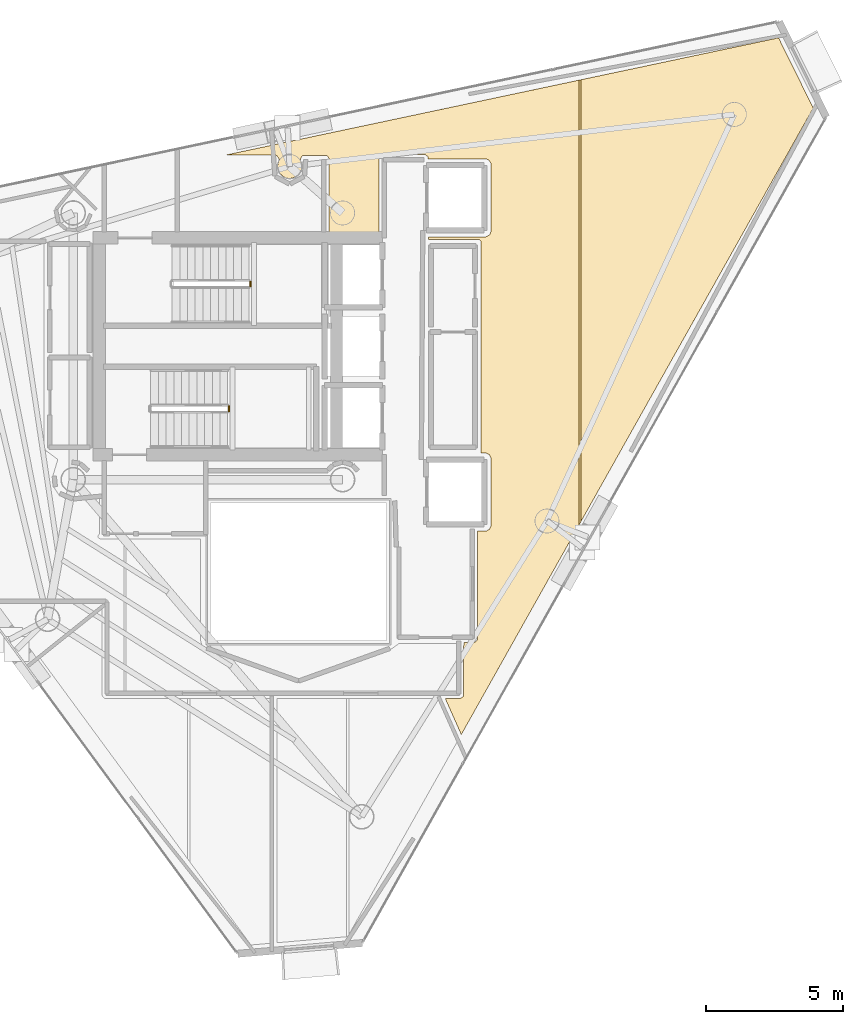
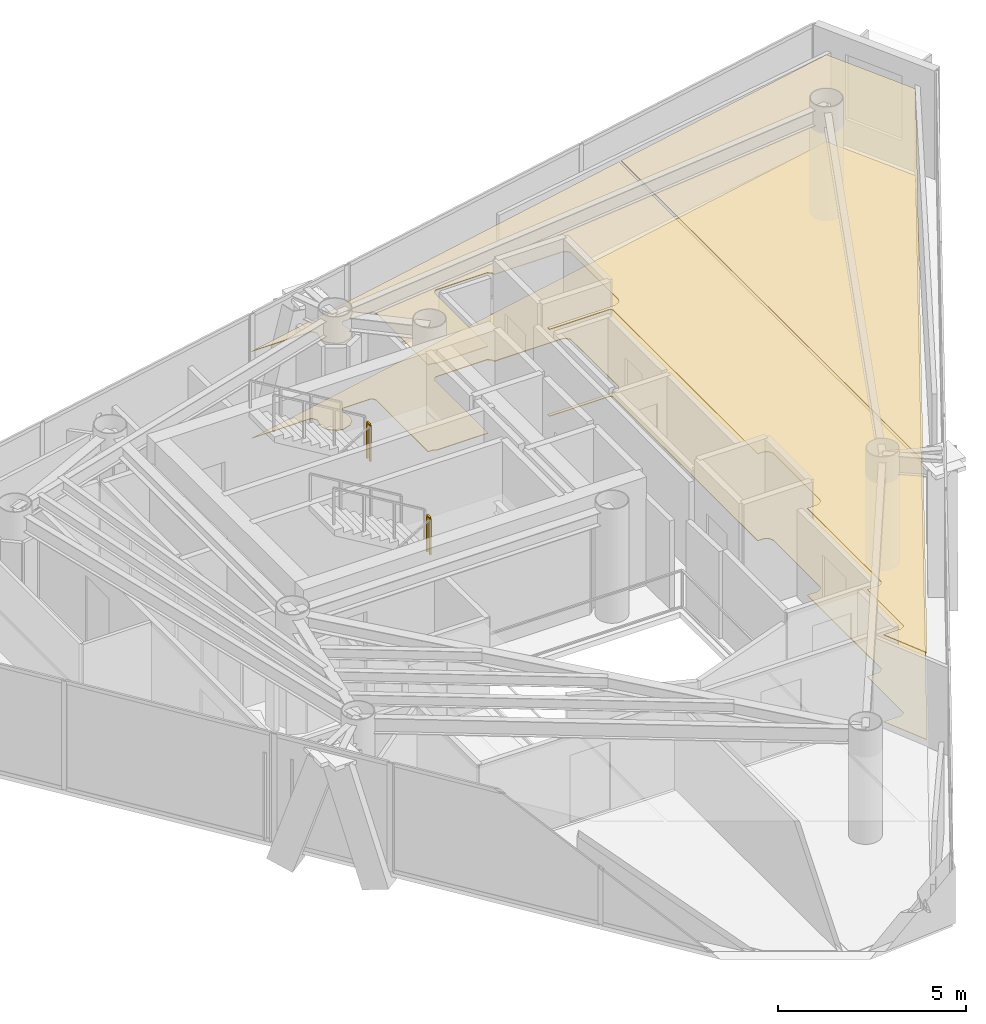
# One storey, part 21 of 21: 3 coverings, 2 railings.
"""IFC4 building model written with IfcOpenShell, lengths in metres."""

import ifcopenshell
import ifcopenshell.guid

model = None  # the IFC model being written
_history = None  # IfcOwnerHistory: only IFC2X3 demands one
_inside = {}  # id of a spatial element -> (the spatial element, [elements in it])
_under = {}  # id of a project, library or spatial element -> (it, [spatial elements below it])
_declared = {}  # id of a project -> (the project, [libraries it declares])
_typed = {}  # id of a type object -> (the type object, [elements of that type])
_made_of = {}  # id of a material, layer set ... -> (it, [elements and type objects made of it])


def new_model(schema):
    """Start an empty IFC model of exactly this schema.

    Asked for "IFC4X3", IfcOpenShell would pick the latest addendum, in which some entities
    have other attributes; the version numbers below select the first issue.
    IFC2X3 requires an IfcOwnerHistory on every rooted entity: one is made here for all.
    """
    global model, _history
    if schema == "IFC4X3":
        model = ifcopenshell.file(schema_version=(4, 3, 0, 0))
    else:
        model = ifcopenshell.file(schema=schema)
    _inside.clear()
    _under.clear()
    _declared.clear()
    _typed.clear()
    _made_of.clear()
    _history = None
    if model.schema == "IFC2X3":
        org = make("IfcOrganization", Name="unknown")
        user = make(
            "IfcPersonAndOrganization",
            ThePerson=make("IfcPerson", FamilyName="unknown"),
            TheOrganization=org,
        )
        app = make(
            "IfcApplication",
            ApplicationDeveloper=org,
            Version="unknown",
            ApplicationFullName="unknown",
            ApplicationIdentifier="unknown",
        )
        _history = make(
            "IfcOwnerHistory",
            OwningUser=user,
            OwningApplication=app,
            ChangeAction="ADDED",
            CreationDate=0,
        )
    return model


def make(cls, **values):
    """One entity of the class cls with the attributes given. An attribute that is None is left unset."""
    return model.create_entity(
        cls, **{name: value for name, value in values.items() if value is not None}
    )


def rooted(cls, **values):
    """An entity with a GlobalId (a new one), such as an element, a storey or a relation."""
    return make(cls, GlobalId=ifcopenshell.guid.new(), OwnerHistory=_history, **values)


def si_unit(unit_type, name, prefix=None):
    """IfcSIUnit, for example si_unit("LENGTHUNIT", "METRE", prefix="MILLI")."""
    return make("IfcSIUnit", UnitType=unit_type, Prefix=prefix, Name=name)


def assignment(units):
    """IfcUnitAssignment: the units of a project."""
    return None if units is None else make("IfcUnitAssignment", Units=units)


def point(xyz):
    """IfcCartesianPoint."""
    return None if xyz is None else make("IfcCartesianPoint", Coordinates=xyz)


def direction(xyz):
    """IfcDirection."""
    return None if xyz is None else make("IfcDirection", DirectionRatios=xyz)


def frame(location, z_axis=None, x_axis=None):
    """IfcAxis2Placement3D, a coordinate frame: its origin and axes. An axis left out is left unset."""
    return make(
        "IfcAxis2Placement3D",
        Location=point(location),
        Axis=direction(z_axis),
        RefDirection=direction(x_axis),
    )


def frame_2d(location, x_axis=None):
    """IfcAxis2Placement2D, a coordinate frame in the plane: its origin and x axis."""
    return make(
        "IfcAxis2Placement2D", Location=point(location), RefDirection=direction(x_axis)
    )


def origin():
    """The frame at (0, 0, 0) with its axes left unset."""
    return frame((0.0, 0.0, 0.0))


def origin_2d():
    """The frame at (0, 0) in the plane with its x axis left unset."""
    return frame_2d((0.0, 0.0))


def place(relative_to, where):
    """IfcLocalPlacement: puts the frame where relative to a parent placement (None: the world)."""
    return make(
        "IfcLocalPlacement", PlacementRelTo=relative_to, RelativePlacement=where
    )


def context(
    kind, dimensions, precision=None, world=None, true_north=None, identifier=None
):
    """IfcGeometricRepresentationContext, for example the 3D "Model" context."""
    return make(
        "IfcGeometricRepresentationContext",
        ContextIdentifier=identifier,
        ContextType=kind,
        CoordinateSpaceDimension=dimensions,
        Precision=precision,
        WorldCoordinateSystem=world,
        TrueNorth=true_north,
    )


def subcontext(parent, identifier, kind, view, scale=None):
    """IfcGeometricRepresentationSubContext, for example "Body" below "Model"."""
    return make(
        "IfcGeometricRepresentationSubContext",
        ContextIdentifier=identifier,
        ContextType=kind,
        ParentContext=parent,
        TargetScale=scale,
        TargetView=view,
    )


def project(units=None, contexts=None):
    """IfcProject with its units and contexts."""
    return rooted(
        "IfcProject",
        Name="project",
        RepresentationContexts=contexts,
        UnitsInContext=assignment(units),
    )


def spatial(cls, under=None, at=None, **own):
    """A site, building, storey or space (cls), placed at a placement, below another one or the project."""
    s = rooted(cls, ObjectPlacement=at, **own)
    if under is not None:
        _under.setdefault(under.id(), (under, []))[1].append(s)
    return s


def polyline(points):
    """IfcPolyline through the points."""
    return make("IfcPolyline", Points=[point(p) for p in points])


def profile(cls, at=None, kind="AREA", **sizes):
    """A parametric profile (cls). Its sizes go by their IFC names, for example OverallWidth=200.0."""
    return make(cls, ProfileType=kind, Position=at, **sizes)


def rectangle(**sizes):
    """IfcRectangleProfileDef."""
    return profile("IfcRectangleProfileDef", **sizes)


def outline(outer, holes=None, kind="AREA"):
    """IfcArbitraryClosedProfileDef: a profile drawn as a closed curve; with holes, ...WithVoids."""
    if holes is None:
        return make("IfcArbitraryClosedProfileDef", ProfileType=kind, OuterCurve=outer)
    return make(
        "IfcArbitraryProfileDefWithVoids",
        ProfileType=kind,
        OuterCurve=outer,
        InnerCurves=holes,
    )


def extrude(swept, where, along, depth):
    """IfcExtrudedAreaSolid: the profile swept, set in the frame where, extruded along a direction by depth."""
    return make(
        "IfcExtrudedAreaSolid",
        SweptArea=swept,
        Position=where,
        ExtrudedDirection=direction(along),
        Depth=depth,
    )


def shape(context_of_items, identifier, shape_type, items):
    """IfcShapeRepresentation: the items that make up one representation, for example the "Body"."""
    return make(
        "IfcShapeRepresentation",
        ContextOfItems=context_of_items,
        RepresentationIdentifier=identifier,
        RepresentationType=shape_type,
        Items=items,
    )


def material(Name=None, Category=None):
    """IfcMaterial."""
    return make("IfcMaterial", Name=Name, Category=Category)


def layer(
    of_material, thickness, ventilated=None, Name=None, Category=None, Priority=None
):
    """IfcMaterialLayer: one layer of a wall or slab, of a material (None: an air gap)."""
    return make(
        "IfcMaterialLayer",
        Material=of_material,
        LayerThickness=thickness,
        IsVentilated=ventilated,
        Name=Name,
        Category=Category,
        Priority=Priority,
    )


def layer_set(layers, Name=None):
    """IfcMaterialLayerSet."""
    return make("IfcMaterialLayerSet", MaterialLayers=layers, LayerSetName=Name)


def made_of(thing, what):
    """Note that an element or type object is made of a material, layer set ...; save() writes the relation."""
    if what is not None:
        _made_of.setdefault(what.id(), (what, []))[1].append(thing)
    return thing


def type_object(cls, material=None, **own):
    """A type object (cls), such as IfcWallType, which elements share."""
    return made_of(rooted(cls, **own), material)


def element(
    cls,
    number,
    at=None,
    inside=None,
    cuts=None,
    type_object=None,
    material=None,
    context=None,
    identifier="Body",
    shape_type=None,
    held_by="IfcProductDefinitionShape",
    body=None,
    shapes=None,
    **own,
):
    """One element of the class cls, such as IfcWall. Its Tag is "e" and its number.

    at: its placement. inside: the storey or other place that contains it. cuts: it is an
    opening in that element (IfcRelVoidsElement). A single representation is given by context,
    identifier, shape_type and body (its items); several are given by shapes. held_by: the class
    of the entity that holds the representations. save() writes the other relations.
    """
    e = rooted(cls, Tag="e%d" % number, ObjectPlacement=at, **own)
    if body is not None:
        shapes = [shape(context, identifier, shape_type, body)]
    if shapes is not None:
        e.Representation = make(held_by, Representations=shapes)
    if inside is not None:
        _inside.setdefault(inside.id(), (inside, []))[1].append(e)
    if cuts is not None:
        rooted(
            "IfcRelVoidsElement", RelatingBuildingElement=cuts, RelatedOpeningElement=e
        )
    if type_object is not None:
        _typed.setdefault(type_object.id(), (type_object, []))[1].append(e)
    return made_of(e, material)


def aggregate(whole, parts):
    """IfcRelAggregates: a whole, such as a stair, and the parts it consists of."""
    return rooted("IfcRelAggregates", RelatingObject=whole, RelatedObjects=parts)


def save(model, path):
    """Write the relations noted so far, then the file.

    IfcRelAggregates (storeys below a building ...), IfcRelContainedInSpatialStructure (elements
    in a storey), IfcRelDefinesByType, IfcRelAssociatesMaterial and IfcRelDeclares: one each for
    every whole, place, type object, material and project.
    """
    for whole, parts in _under.values():
        aggregate(whole, parts)
    for where, things in _inside.values():
        rooted(
            "IfcRelContainedInSpatialStructure",
            RelatedElements=things,
            RelatingStructure=where,
        )
    for kind, things in _typed.values():
        rooted("IfcRelDefinesByType", RelatedObjects=things, RelatingType=kind)
    for what, things in _made_of.values():
        rooted("IfcRelAssociatesMaterial", RelatedObjects=things, RelatingMaterial=what)
    for by, libraries in _declared.values():
        rooted("IfcRelDeclares", RelatingContext=by, RelatedDefinitions=libraries)
    model.write(path)


model = new_model("IFC4")

# Units and contexts
model_context = context("Model", 3, precision=1e-05, world=origin(), true_north=direction((0.0, 1.0)))
body_context = subcontext(model_context, "Body", "Model", "MODEL_VIEW")
ifc_project = project(units=[si_unit("LENGTHUNIT", "METRE"), si_unit("AREAUNIT", "SQUARE_METRE"), si_unit("VOLUMEUNIT", "CUBIC_METRE"), si_unit("PLANEANGLEUNIT", "RADIAN"), si_unit("MASSUNIT", "GRAM", prefix="KILO")], contexts=[model_context])

# Site, building, storey
site_placement = place(None, origin())
site = spatial("IfcSite", under=ifc_project, at=site_placement, CompositionType="ELEMENT")
building_placement = place(site_placement, origin())
building = spatial("IfcBuilding", under=site, at=building_placement, Name="Qianvela Tower", CompositionType="ELEMENT")
storey_placement = place(building_placement, frame((0.0, 0.0, 302.800048828125)))
storey = spatial("IfcBuildingStorey", under=building, at=storey_placement, Name="L78", CompositionType="ELEMENT", Elevation=302.800048828125)

# Coverings
ifc_material_1 = material(Name="Perforated Mineral Acoustic Ceiling Tile")
ifc_layer_1 = layer(ifc_material_1, 0.02490234375)
ifc_layer_set_1 = layer_set([ifc_layer_1], Name="Perforated Mineral Acoustic Ceiling Tile")
covering_type_1 = type_object("IfcCoveringType", Name="COV-CEIL-ACOUSTIC-25", PredefinedType="CEILING", material=ifc_layer_set_1)
covering_1_placement = place(storey_placement, frame((0.0, 0.0, 2.81494140625)))
element("IfcCovering", 1, at=covering_1_placement, inside=storey, type_object=covering_type_1, Name="L78 Acoustic Ceiling Bay 1 Quiet Reading Study L78-04", PredefinedType="CEILING", context=body_context, shape_type="SweptSolid", body=[
    extrude(outline(polyline([(42.134765625, 15.89013671875), (42.657958984375, 15.890380859375), (42.665771484375, 15.890869140625), (42.673583984375, 15.891845703125), (42.68115234375, 15.893798828125), (42.6884765625, 15.896484375), (42.695556640625, 15.89990234375), (42.702392578125, 15.90380859375), (42.764892578125, 15.94580078125), (42.771240234375, 15.950439453125), (42.777099609375, 15.955810546875), (42.7822265625, 15.96142578125), (42.787109375, 15.9677734375), (42.791015625, 15.974609375), (42.79443359375, 15.9814453125), (42.797119140625, 15.989013671875), (42.799072265625, 15.99658203125), (42.800048828125, 16.004150390625), (42.800537109375, 16.011962890625), (42.80712890625, 17.920166015625), (43.157958984375, 17.92041015625), (43.166259765625, 17.9208984375), (43.174560546875, 17.922119140625), (43.1826171875, 17.92431640625), (43.1904296875, 17.927490234375), (43.197998046875, 17.93115234375), (43.205078125, 17.935791015625), (43.211669921875, 17.941162109375), (43.2822265625, 18.005126953125), (43.2880859375, 18.010986328125), (43.293212890625, 18.017578125), (43.2978515625, 18.0244140625), (43.301513671875, 18.031982421875), (43.3046875, 18.039794921875), (43.306640625, 18.0478515625), (43.30810546875, 18.055908203125), (43.30859375, 18.064453125), (43.309326171875, 21.980712890625), (43.60791015625, 21.982666015625), (43.615478515625, 21.983154296875), (43.623291015625, 21.984375), (43.630859375, 21.986083984375), (43.637939453125, 21.98876953125), (43.64501953125, 21.9921875), (43.716796875, 22.030517578125), (43.723388671875, 22.034423828125), (43.729736328125, 22.039306640625), (43.735595703125, 22.04443359375), (43.74072265625, 22.05029296875), (43.74560546875, 22.056640625), (43.74951171875, 22.063232421875), (43.787841796875, 22.135009765625), (43.791259765625, 22.14208984375), (43.7939453125, 22.1494140625), (43.7958984375, 22.156982421875), (43.796875, 22.164794921875), (43.79736328125, 22.172607421875), (43.79931640625, 24.61376953125), (43.799072265625, 24.62060546875), (43.798095703125, 24.627685546875), (43.79638671875, 24.634765625), (43.79443359375, 24.641357421875), (43.79150390625, 24.64794921875), (43.751220703125, 24.733154296875), (43.74755859375, 24.739990234375), (43.743408203125, 24.74658203125), (43.73828125, 24.752685546875), (43.732666015625, 24.75830078125), (43.726806640625, 24.76318359375), (43.72021484375, 24.767578125), (43.713134765625, 24.771240234375), (43.6279296875, 24.8115234375), (43.619873046875, 24.81494140625), (43.611328125, 24.8173828125), (43.6025390625, 24.81884765625), (43.59375, 24.8193359375), (43.423828125, 24.8193359375), (43.423828125, 24.8193359375), (43.426513671875, 24.826904296875), (43.428466796875, 24.83447265625), (43.4296875, 24.84228515625), (43.429931640625, 24.85009765625), (43.429931640625, 32.5), (43.4296875, 32.5078125), (43.428466796875, 32.515625), (43.426513671875, 32.523193359375), (43.423828125, 32.530517578125), (43.420654296875, 32.53759765625), (43.41650390625, 32.54443359375), (43.411865234375, 32.55078125), (43.406494140625, 32.556640625), (43.40087890625, 32.561767578125), (43.394287109375, 32.56640625), (43.3876953125, 32.570556640625), (43.380615234375, 32.573974609375), (43.373291015625, 32.57666015625), (43.365478515625, 32.57861328125), (43.35791015625, 32.57958984375), (43.35009765625, 32.580078125), (41.52001953125, 32.580078125), (41.52001953125, 32.679931640625), (43.580078125, 32.679931640625), (43.587158203125, 32.680419921875), (43.593994140625, 32.68115234375), (43.60107421875, 32.682861328125), (43.607666015625, 32.684814453125), (43.6142578125, 32.687744140625), (43.722412109375, 32.739013671875), (43.729248046875, 32.74267578125), (43.73583984375, 32.746826171875), (43.741943359375, 32.751953125), (43.74755859375, 32.757568359375), (43.75244140625, 32.763427734375), (43.7568359375, 32.77001953125), (43.760498046875, 32.777099609375), (43.763427734375, 32.7841796875), (43.79541015625, 32.873046875), (43.79736328125, 32.879638671875), (43.798828125, 32.886474609375), (43.7998046875, 32.893310546875), (43.800048828125, 32.900390625), (43.789306640625, 35.35400390625), (43.788818359375, 35.36181640625), (43.787841796875, 35.369384765625), (43.785888671875, 35.376953125), (43.783203125, 35.38427734375), (43.77978515625, 35.391357421875), (43.77587890625, 35.398193359375), (43.771240234375, 35.404296875), (43.719482421875, 35.46728515625), (43.71435546875, 35.472900390625), (43.70849609375, 35.478271484375), (43.7021484375, 35.48291015625), (43.695556640625, 35.487060546875), (43.6884765625, 35.490234375), (43.680908203125, 35.492919921875), (43.603271484375, 35.5166015625), (43.595703125, 35.5185546875), (43.587890625, 35.51953125), (43.580078125, 35.52001953125), (41.515625, 35.52001953125), (41.513916015625, 35.554931640625), (41.512939453125, 35.562744140625), (41.511474609375, 35.5703125), (41.509033203125, 35.577880859375), (41.506103515625, 35.585205078125), (41.50244140625, 35.591796875), (41.498046875, 35.598388671875), (41.4931640625, 35.6044921875), (41.487548828125, 35.60986328125), (41.481689453125, 35.614990234375), (41.41552734375, 35.663818359375), (41.409423828125, 35.66796875), (41.40283203125, 35.67138671875), (41.396240234375, 35.67431640625), (41.38916015625, 35.6767578125), (41.382080078125, 35.67822265625), (41.374755859375, 35.67919921875), (41.367431640625, 35.6796875), (39.841796875, 35.670654296875), (39.83349609375, 35.670166015625), (39.825439453125, 35.668701171875), (39.817626953125, 35.666748046875), (39.81005859375, 35.663818359375), (39.802490234375, 35.659912109375), (39.795654296875, 35.655517578125), (39.789306640625, 35.650390625), (39.783447265625, 35.644775390625), (39.7783203125, 35.638427734375), (39.773681640625, 35.631591796875), (39.7314453125, 35.56103515625), (39.727294921875, 35.553466796875), (39.72412109375, 35.54541015625), (39.721923828125, 35.537109375), (39.720458984375, 35.528564453125), (39.719970703125, 35.52001953125), (39.719970703125, 32.719970703125), (38.129150390625, 32.719970703125), (38.068115234375, 32.756103515625), (38.060791015625, 32.760009765625), (38.052978515625, 32.76318359375), (38.044921875, 32.765380859375), (38.03662109375, 32.766845703125), (38.0283203125, 32.767333984375), (37.907470703125, 32.768798828125), (37.909912109375, 35.5), (37.90966796875, 35.5078125), (37.908447265625, 35.515625), (37.906494140625, 35.523193359375), (37.90380859375, 35.530517578125), (37.900634765625, 35.53759765625), (37.864990234375, 35.604248046875), (37.861083984375, 35.611083984375), (37.856201171875, 35.6171875), (37.85107421875, 35.623046875), (37.84521484375, 35.62841796875), (37.8388671875, 35.633056640625), (37.83203125, 35.63720703125), (37.824951171875, 35.640380859375), (37.817626953125, 35.64306640625), (37.81005859375, 35.64501953125), (37.80224609375, 35.64599609375), (37.79443359375, 35.646484375), (36.981689453125, 35.64599609375), (36.973876953125, 35.645751953125), (36.966064453125, 35.64453125), (36.958251953125, 35.642578125), (36.95068359375, 35.639892578125), (36.943603515625, 35.63623046875), (36.936767578125, 35.632080078125), (36.930419921875, 35.627197265625), (36.924560546875, 35.621826171875), (36.919189453125, 35.615966796875), (36.91455078125, 35.609375), (36.91064453125, 35.6025390625), (36.875732421875, 35.5341796875), (36.87255859375, 35.527099609375), (36.8701171875, 35.51953125), (36.8681640625, 35.511962890625), (36.8671875, 35.504150390625), (36.866943359375, 35.49609375), (36.86767578125, 35.48828125), (36.868896484375, 35.48046875), (36.92431640625, 35.23291015625), (36.91748046875, 35.163330078125), (36.84765625, 34.99462890625), (36.72705078125, 34.874267578125), (36.4755859375, 34.796142578125), (36.305419921875, 34.830078125), (36.10302734375, 34.998291015625), (36.03466796875, 35.163330078125), (36.02783203125, 35.23291015625), (36.0830078125, 35.48046875), (36.08447265625, 35.48779296875), (36.0849609375, 35.495361328125), (36.0849609375, 35.502685546875), (36.083984375, 35.51025390625), (36.08251953125, 35.517578125), (36.080322265625, 35.524658203125), (36.077392578125, 35.53173828125), (36.07421875, 35.538330078125), (36.070068359375, 35.544677734375), (36.013671875, 35.623046875), (36.0087890625, 35.62890625), (36.003662109375, 35.634521484375), (35.997802734375, 35.639404296875), (35.99169921875, 35.643798828125), (35.985107421875, 35.647705078125), (35.978271484375, 35.650634765625), (35.97119140625, 35.6533203125), (35.9638671875, 35.655029296875), (35.956298828125, 35.656005859375), (35.94873046875, 35.656494140625), (34.156005859375, 35.658935546875), (46.99609375, 38.38037109375), (46.99609375, 22.19580078125), (42.718017578125, 14.580322265625), (42.134765625, 15.89013671875)])), origin(), (0.0, 0.0, 1.0), 0.02490234375),
])
covering_2_placement = place(storey_placement, frame((0.0, 0.0, 2.81494140625)))
element("IfcCovering", 2, at=covering_2_placement, inside=storey, type_object=covering_type_1, Name="L78 Acoustic Ceiling Bay 2 Quiet Reading Study L78-04", PredefinedType="CEILING", context=body_context, shape_type="SweptSolid", body=[
    extrude(outline(polyline([(54.258056640625, 39.919677734375), (55.519287109375, 37.3671875), (47.076171875, 22.338134765625), (47.076171875, 38.3974609375), (54.258056640625, 39.919677734375)])), origin(), (0.0, 0.0, 1.0), 0.02490234375),
])
ifc_material_2 = material(Name="Engineered Acoustic Oak Timber Flooring", Category="wood")
ifc_layer_2 = layer(ifc_material_2, 0.02001953125)
ifc_layer_set_2 = layer_set([ifc_layer_2], Name="Engineered Acoustic Oak Timber Flooring")
covering_type_2 = type_object("IfcCoveringType", Name="COV-FLOOR-OAK-20", PredefinedType="FLOORING", material=ifc_layer_set_2)
covering_3_placement = place(storey_placement, origin())
element("IfcCovering", 3, at=covering_3_placement, inside=storey, type_object=covering_type_2, Name="L78 Finish Flooring Quiet Reading Study L78-04", PredefinedType="FLOORING", context=body_context, shape_type="SweptSolid", body=[
    extrude(outline(polyline([(42.718017578125, 14.580322265625), (42.134765625, 15.89013671875), (42.657958984375, 15.890380859375), (42.665771484375, 15.890869140625), (42.673583984375, 15.891845703125), (42.68115234375, 15.893798828125), (42.6884765625, 15.896484375), (42.695556640625, 15.89990234375), (42.702392578125, 15.90380859375), (42.764892578125, 15.94580078125), (42.771240234375, 15.950439453125), (42.777099609375, 15.955810546875), (42.7822265625, 15.96142578125), (42.787109375, 15.9677734375), (42.791015625, 15.974609375), (42.79443359375, 15.9814453125), (42.797119140625, 15.989013671875), (42.799072265625, 15.99658203125), (42.800048828125, 16.004150390625), (42.800537109375, 16.011962890625), (42.80712890625, 17.920166015625), (43.157958984375, 17.92041015625), (43.166259765625, 17.9208984375), (43.174560546875, 17.922119140625), (43.1826171875, 17.92431640625), (43.1904296875, 17.927490234375), (43.197998046875, 17.93115234375), (43.205078125, 17.935791015625), (43.211669921875, 17.941162109375), (43.2822265625, 18.005126953125), (43.2880859375, 18.010986328125), (43.293212890625, 18.017578125), (43.2978515625, 18.0244140625), (43.301513671875, 18.031982421875), (43.3046875, 18.039794921875), (43.306640625, 18.0478515625), (43.30810546875, 18.055908203125), (43.30859375, 18.064453125), (43.309326171875, 21.980712890625), (43.60791015625, 21.982666015625), (43.615478515625, 21.983154296875), (43.623291015625, 21.984375), (43.630859375, 21.986083984375), (43.637939453125, 21.98876953125), (43.64501953125, 21.9921875), (43.716796875, 22.030517578125), (43.723388671875, 22.034423828125), (43.729736328125, 22.039306640625), (43.735595703125, 22.04443359375), (43.74072265625, 22.05029296875), (43.74560546875, 22.056640625), (43.74951171875, 22.063232421875), (43.787841796875, 22.135009765625), (43.791259765625, 22.14208984375), (43.7939453125, 22.1494140625), (43.7958984375, 22.156982421875), (43.796875, 22.164794921875), (43.79736328125, 22.172607421875), (43.79931640625, 24.61376953125), (43.799072265625, 24.62060546875), (43.798095703125, 24.627685546875), (43.79638671875, 24.634765625), (43.79443359375, 24.641357421875), (43.79150390625, 24.64794921875), (43.751220703125, 24.733154296875), (43.74755859375, 24.739990234375), (43.743408203125, 24.74658203125), (43.73828125, 24.752685546875), (43.732666015625, 24.75830078125), (43.726806640625, 24.76318359375), (43.72021484375, 24.767578125), (43.713134765625, 24.771240234375), (43.6279296875, 24.8115234375), (43.619873046875, 24.81494140625), (43.611328125, 24.8173828125), (43.6025390625, 24.81884765625), (43.59375, 24.8193359375), (43.423828125, 24.8193359375), (43.423828125, 24.8193359375), (43.426513671875, 24.826904296875), (43.428466796875, 24.83447265625), (43.4296875, 24.84228515625), (43.429931640625, 24.85009765625), (43.429931640625, 32.5), (43.4296875, 32.5078125), (43.428466796875, 32.515625), (43.426513671875, 32.523193359375), (43.423828125, 32.530517578125), (43.420654296875, 32.53759765625), (43.41650390625, 32.54443359375), (43.411865234375, 32.55078125), (43.406494140625, 32.556640625), (43.40087890625, 32.561767578125), (43.394287109375, 32.56640625), (43.3876953125, 32.570556640625), (43.380615234375, 32.573974609375), (43.373291015625, 32.57666015625), (43.365478515625, 32.57861328125), (43.35791015625, 32.57958984375), (43.35009765625, 32.580078125), (41.52001953125, 32.580078125), (41.52001953125, 32.679931640625), (43.580078125, 32.679931640625), (43.587158203125, 32.680419921875), (43.593994140625, 32.68115234375), (43.60107421875, 32.682861328125), (43.607666015625, 32.684814453125), (43.6142578125, 32.687744140625), (43.722412109375, 32.739013671875), (43.729248046875, 32.74267578125), (43.73583984375, 32.746826171875), (43.741943359375, 32.751953125), (43.74755859375, 32.757568359375), (43.75244140625, 32.763427734375), (43.7568359375, 32.77001953125), (43.760498046875, 32.777099609375), (43.763427734375, 32.7841796875), (43.79541015625, 32.873046875), (43.79736328125, 32.879638671875), (43.798828125, 32.886474609375), (43.7998046875, 32.893310546875), (43.800048828125, 32.900390625), (43.789306640625, 35.35400390625), (43.788818359375, 35.36181640625), (43.787841796875, 35.369384765625), (43.785888671875, 35.376953125), (43.783203125, 35.38427734375), (43.77978515625, 35.391357421875), (43.77587890625, 35.398193359375), (43.771240234375, 35.404296875), (43.719482421875, 35.46728515625), (43.71435546875, 35.472900390625), (43.70849609375, 35.478271484375), (43.7021484375, 35.48291015625), (43.695556640625, 35.487060546875), (43.6884765625, 35.490234375), (43.680908203125, 35.492919921875), (43.603271484375, 35.5166015625), (43.595703125, 35.5185546875), (43.587890625, 35.51953125), (43.580078125, 35.52001953125), (41.515625, 35.52001953125), (41.513916015625, 35.554931640625), (41.512939453125, 35.562744140625), (41.511474609375, 35.5703125), (41.509033203125, 35.577880859375), (41.506103515625, 35.585205078125), (41.50244140625, 35.591796875), (41.498046875, 35.598388671875), (41.4931640625, 35.6044921875), (41.487548828125, 35.60986328125), (41.481689453125, 35.614990234375), (41.41552734375, 35.663818359375), (41.409423828125, 35.66796875), (41.40283203125, 35.67138671875), (41.396240234375, 35.67431640625), (41.38916015625, 35.6767578125), (41.382080078125, 35.67822265625), (41.374755859375, 35.67919921875), (41.367431640625, 35.6796875), (39.841796875, 35.670654296875), (39.83349609375, 35.670166015625), (39.825439453125, 35.668701171875), (39.817626953125, 35.666748046875), (39.81005859375, 35.663818359375), (39.802490234375, 35.659912109375), (39.795654296875, 35.655517578125), (39.789306640625, 35.650390625), (39.783447265625, 35.644775390625), (39.7783203125, 35.638427734375), (39.773681640625, 35.631591796875), (39.7314453125, 35.56103515625), (39.727294921875, 35.553466796875), (39.72412109375, 35.54541015625), (39.721923828125, 35.537109375), (39.720458984375, 35.528564453125), (39.719970703125, 35.52001953125), (39.719970703125, 32.719970703125), (38.129150390625, 32.719970703125), (38.068115234375, 32.756103515625), (38.060791015625, 32.760009765625), (38.052978515625, 32.76318359375), (38.044921875, 32.765380859375), (38.03662109375, 32.766845703125), (38.0283203125, 32.767333984375), (37.907470703125, 32.768798828125), (37.909912109375, 35.5), (37.90966796875, 35.5078125), (37.908447265625, 35.515625), (37.906494140625, 35.523193359375), (37.90380859375, 35.530517578125), (37.900634765625, 35.53759765625), (37.864990234375, 35.604248046875), (37.861083984375, 35.611083984375), (37.856201171875, 35.6171875), (37.85107421875, 35.623046875), (37.84521484375, 35.62841796875), (37.8388671875, 35.633056640625), (37.83203125, 35.63720703125), (37.824951171875, 35.640380859375), (37.817626953125, 35.64306640625), (37.81005859375, 35.64501953125), (37.80224609375, 35.64599609375), (37.79443359375, 35.646484375), (36.981689453125, 35.64599609375), (36.973876953125, 35.645751953125), (36.966064453125, 35.64453125), (36.958251953125, 35.642578125), (36.95068359375, 35.639892578125), (36.943603515625, 35.63623046875), (36.936767578125, 35.632080078125), (36.930419921875, 35.627197265625), (36.924560546875, 35.621826171875), (36.919189453125, 35.615966796875), (36.91455078125, 35.609375), (36.91064453125, 35.6025390625), (36.875732421875, 35.5341796875), (36.87255859375, 35.527099609375), (36.8701171875, 35.51953125), (36.8681640625, 35.511962890625), (36.8671875, 35.504150390625), (36.866943359375, 35.49609375), (36.86767578125, 35.48828125), (36.868896484375, 35.48046875), (36.92431640625, 35.23291015625), (36.91748046875, 35.163330078125), (36.84765625, 34.99462890625), (36.72705078125, 34.874267578125), (36.4755859375, 34.796142578125), (36.305419921875, 34.830078125), (36.10302734375, 34.998291015625), (36.03466796875, 35.163330078125), (36.02783203125, 35.23291015625), (36.0830078125, 35.48046875), (36.08447265625, 35.48779296875), (36.0849609375, 35.495361328125), (36.0849609375, 35.502685546875), (36.083984375, 35.51025390625), (36.08251953125, 35.517578125), (36.080322265625, 35.524658203125), (36.077392578125, 35.53173828125), (36.07421875, 35.538330078125), (36.070068359375, 35.544677734375), (36.013671875, 35.623046875), (36.0087890625, 35.62890625), (36.003662109375, 35.634521484375), (35.997802734375, 35.639404296875), (35.99169921875, 35.643798828125), (35.985107421875, 35.647705078125), (35.978271484375, 35.650634765625), (35.97119140625, 35.6533203125), (35.9638671875, 35.655029296875), (35.956298828125, 35.656005859375), (35.94873046875, 35.656494140625), (34.156005859375, 35.658935546875), (54.258056640625, 39.919677734375), (55.519287109375, 37.3671875), (42.718017578125, 14.580322265625)])), origin(), (0.0, 0.0, 1.0), 0.02001953125),
])

# Railings
ifc_material_3 = material(Name="Painted Tubular Steel Q355B", Category="steel")
railing_type = type_object("IfcRailingType", Name="RL-STAIR-GUARD-1200", PredefinedType="GUARDRAIL", material=ifc_material_3)
railing_1_placement = place(storey_placement, frame((35.050048828125, 30.889892578125, 1.849853515625)))
element("IfcRailing", 4, at=railing_1_placement, inside=storey, type_object=railing_type, Name="L78 ST-1 stair guard 2", PredefinedType="GUARDRAIL", context=body_context, shape_type="SweptSolid", body=[
    extrude(rectangle(XDim=0.050048828125, YDim=0.0400390625, at=origin_2d()), frame((0.0, 0.0, 1.179931640625), z_axis=(0.0, 1.0, 0.0), x_axis=(-1.0, 0.0, 0.0)), (0.0, 0.0, 1.0), 0.16015625),
    extrude(rectangle(XDim=0.050048828125, YDim=0.050048828125, at=origin_2d()), origin(), (0.0, 0.0, 1.0), 1.159912109375),
    extrude(rectangle(XDim=0.050048828125, YDim=0.050048828125, at=origin_2d()), frame((0.0, 0.16015625, 0.0)), (0.0, 0.0, 1.0), 1.159912109375),
])
railing_2_placement = place(storey_placement, frame((34.27001953125, 26.35009765625, 1.849853515625)))
element("IfcRailing", 5, at=railing_2_placement, inside=storey, type_object=railing_type, Name="L78 ST-2 stair guard 2", PredefinedType="GUARDRAIL", context=body_context, shape_type="SweptSolid", body=[
    extrude(rectangle(XDim=0.050048828125, YDim=0.0400390625, at=origin_2d()), frame((0.0, 0.0, 1.179931640625), z_axis=(0.0, 1.0, 0.0), x_axis=(-1.0, 0.0, 0.0)), (0.0, 0.0, 1.0), 0.159912109375),
    extrude(rectangle(XDim=0.050048828125, YDim=0.050048828125, at=origin_2d()), origin(), (0.0, 0.0, 1.0), 1.159912109375),
    extrude(rectangle(XDim=0.050048828125, YDim=0.050048828125, at=origin_2d()), frame((0.0, 0.159912109375, 0.0)), (0.0, 0.0, 1.0), 1.159912109375),
])

save(model, "model.ifc")
